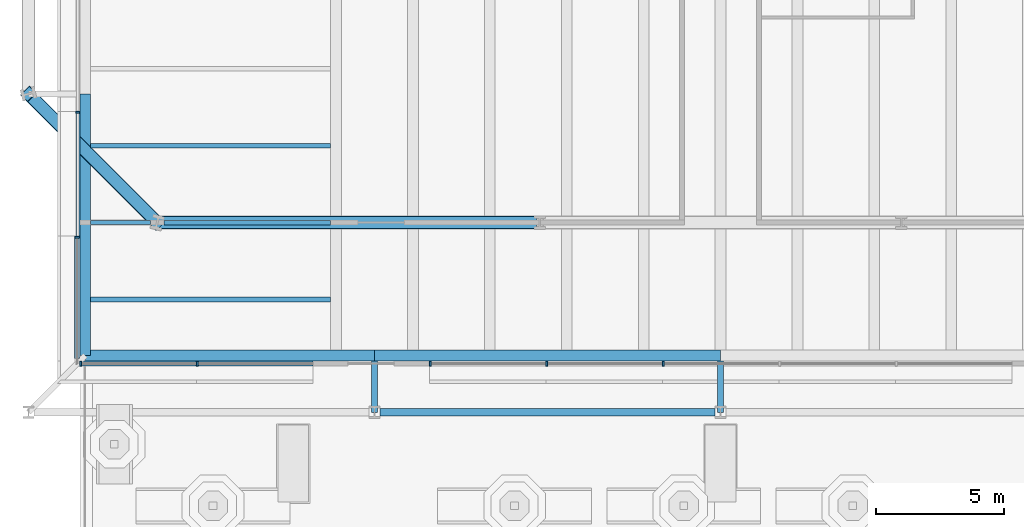
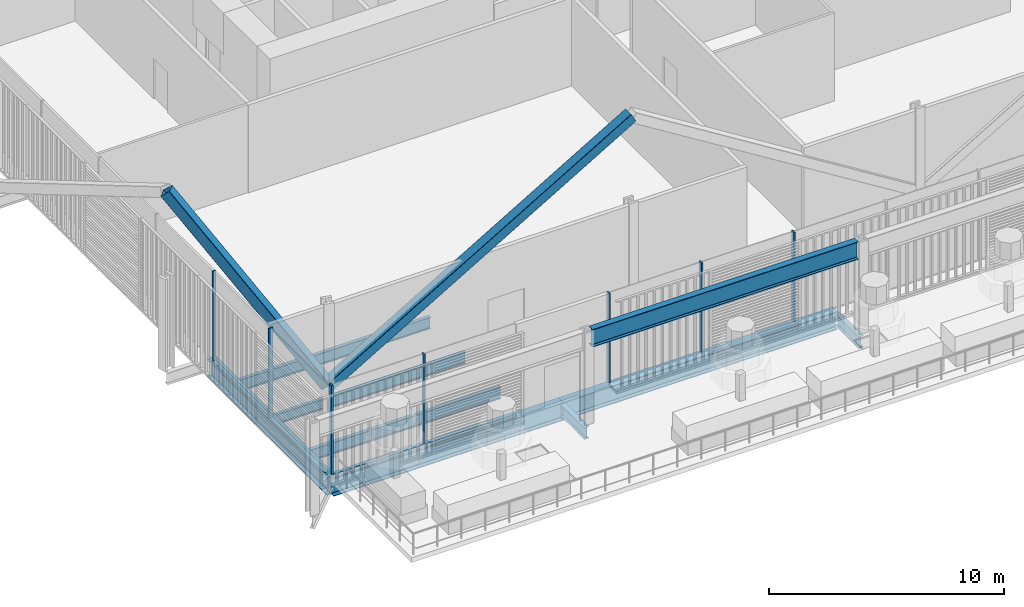
# One storey, part 2 of 26: 12 members, 10 beams, 3 elements without a shape of their own.
"""IFC4 building model written with IfcOpenShell, lengths in metres."""

from ifc_helpers import new_model, si_unit, direction, frame, origin, origin_2d, place, context, subcontext, project, spatial, rectangle, hollow_rectangle, i_section, extrude, material, layer, layer_set, material_profile, profile_set, type_object, element, aggregate, save


model = new_model("IFC4")

# Units and contexts
model_context = context("Model", 3, precision=1e-05, world=origin(), true_north=direction((0.0, 1.0)))
body_context = subcontext(model_context, "Body", "Model", "MODEL_VIEW")
ifc_project = project(units=[si_unit("LENGTHUNIT", "METRE"), si_unit("AREAUNIT", "SQUARE_METRE"), si_unit("VOLUMEUNIT", "CUBIC_METRE"), si_unit("PLANEANGLEUNIT", "RADIAN"), si_unit("MASSUNIT", "GRAM", prefix="KILO")], contexts=[model_context])

# Site, building, storey
site_placement = place(None, origin())
site = spatial("IfcSite", under=ifc_project, at=site_placement, CompositionType="ELEMENT")
building_placement = place(site_placement, origin())
building = spatial("IfcBuilding", under=site, at=building_placement, Name="Millrace Tower", CompositionType="ELEMENT")
storey_placement = place(building_placement, frame((0.0, 0.0, 11.300048828125)))
storey = spatial("IfcBuildingStorey", under=building, at=storey_placement, Name="L03", CompositionType="ELEMENT", Elevation=11.300048828125)

# Curtain wall, members
ifc_material_1 = material(Name="Aluminium and glass", Category="aluminium")
ifc_layer_1 = layer(ifc_material_1, 0.14990234375)
ifc_layer_set_1 = layer_set([ifc_layer_1], Name="Aluminium and glass")
curtain_wall_type_1 = type_object("IfcCurtainWallType", Name="CW-5 truss and plant storey louvred infill", PredefinedType="NOTDEFINED", material=ifc_layer_set_1)
placement = place(storey_placement, origin())
curtain_wall_1 = element("IfcCurtainWall", 1, at=placement, inside=storey, type_object=curtain_wall_type_1, Name="Curtain wall AW3-F06 L03 CW5", PredefinedType="NOTDEFINED")
ifc_material_2 = material(Name="Aluminium", Category="aluminium")
ifc_material_profile_1 = material_profile(ifc_material_2, rectangle(XDim=0.06494140625, YDim=0.14990234375, at=origin_2d()))
ifc_profile_set_1 = profile_set([ifc_material_profile_1], Name="Aluminium")
member_type_1 = type_object("IfcMemberType", Name="CW-5 truss and plant storey louvred infill mullion", PredefinedType="MULLION", material=ifc_profile_set_1)
member_1_placement = place(storey_placement, frame((-25.074951171875, -22.696044921875, 0.139892578125), z_axis=(0.0, 0.0, 1.0), x_axis=(0.0, -1.0, 0.0)))
member_1 = element("IfcMember", 2, at=member_1_placement, type_object=member_type_1, Name="CW5 mullion AW3-F06.10", PredefinedType="MULLION", context=body_context, shape_type="SweptSolid", body=[
    extrude(rectangle(XDim=0.06494140625, YDim=0.14990234375, at=origin_2d()), origin(), (0.0, 0.0, 1.0), 4.66015625),
])
ifc_material_3 = material(Name="Aluminium", Category="aluminium")
ifc_material_profile_2 = material_profile(ifc_material_3, rectangle(XDim=0.14990234375, YDim=0.139892578125, at=origin_2d()))
ifc_profile_set_2 = profile_set([ifc_material_profile_2], Name="Aluminium")
member_type_2 = type_object("IfcMemberType", Name="CW-5 truss and plant storey louvred infill transom", PredefinedType="USERDEFINED", material=ifc_profile_set_2)
member_2_placement = place(storey_placement, frame((-25.074951171875, -22.66357421875, 0.070068359375), z_axis=(0.0, -1.0, 0.0), x_axis=(1.0, 0.0, 0.0)))
member_2 = element("IfcMember", 3, at=member_2_placement, type_object=member_type_2, Name="CW5 transom AW3-F06.2", ObjectType="TRANSOM", PredefinedType="USERDEFINED", context=body_context, shape_type="SweptSolid", body=[
    extrude(rectangle(XDim=0.14990234375, YDim=0.139892578125, at=origin_2d()), origin(), (0.0, 0.0, 1.0), 4.8681640625),
])
aggregate(curtain_wall_1, [member_1, member_2])

ifc_material_4 = material(Name="Aluminium and glass", Category="aluminium")
ifc_layer_2 = layer(ifc_material_4, 0.199951171875)
ifc_layer_set_2 = layer_set([ifc_layer_2], Name="Aluminium and glass")
curtain_wall_type_2 = type_object("IfcCurtainWallType", Name="CW-6 lobby and cascade wing storefront", PredefinedType="NOTDEFINED", material=ifc_layer_set_2)
curtain_wall_2 = element("IfcCurtainWall", 4, at=placement, inside=storey, type_object=curtain_wall_type_2, Name="Curtain wall AW3-F01 L03", PredefinedType="NOTDEFINED")
ifc_material_5 = material(Name="Aluminium", Category="aluminium")
ifc_material_profile_3 = material_profile(ifc_material_5, rectangle(XDim=0.074951171875, YDim=0.199951171875, at=origin_2d()))
ifc_profile_set_3 = profile_set([ifc_material_profile_3], Name="Aluminium")
member_type_3 = type_object("IfcMemberType", Name="CW-6 lobby and cascade wing storefront mullion", PredefinedType="MULLION", material=ifc_profile_set_3)
member_3_placement = place(storey_placement, frame((-24.96240234375, -32.5, 0.14990234375), z_axis=(0.0, 0.0, 1.0), x_axis=(1.0, 0.0, 0.0)))
member_3 = element("IfcMember", 5, at=member_3_placement, type_object=member_type_3, Name="CW6 mullion AW3-F01.1", PredefinedType="MULLION", context=body_context, shape_type="SweptSolid", body=[
    extrude(rectangle(XDim=0.074951171875, YDim=0.199951171875, at=origin_2d()), origin(), (0.0, 0.0, 1.0), 4.650146484375),
])
member_4_placement = place(storey_placement, frame((-20.4169921875, -32.5, 0.14990234375), z_axis=(0.0, 0.0, 1.0), x_axis=(1.0, 0.0, 0.0)))
member_4 = element("IfcMember", 6, at=member_4_placement, type_object=member_type_3, Name="CW6 mullion AW3-F01.2", PredefinedType="MULLION", context=body_context, shape_type="SweptSolid", body=[
    extrude(rectangle(XDim=0.074951171875, YDim=0.199951171875, at=origin_2d()), origin(), (0.0, 0.0, 1.0), 4.650146484375),
])
member_5_placement = place(storey_placement, frame((-11.326171875, -32.5, 0.14990234375), z_axis=(0.0, 0.0, 1.0), x_axis=(1.0, 0.0, 0.0)))
member_5 = element("IfcMember", 7, at=member_5_placement, type_object=member_type_3, Name="CW6 mullion AW3-F01.4", PredefinedType="MULLION", context=body_context, shape_type="SweptSolid", body=[
    extrude(rectangle(XDim=0.074951171875, YDim=0.199951171875, at=origin_2d()), origin(), (0.0, 0.0, 1.0), 4.650146484375),
])
member_6_placement = place(storey_placement, frame((-6.78076171875, -32.5, 0.14990234375), z_axis=(0.0, 0.0, 1.0), x_axis=(1.0, 0.0, 0.0)))
member_6 = element("IfcMember", 8, at=member_6_placement, type_object=member_type_3, Name="CW6 mullion AW3-F01.5", PredefinedType="MULLION", context=body_context, shape_type="SweptSolid", body=[
    extrude(rectangle(XDim=0.074951171875, YDim=0.199951171875, at=origin_2d()), origin(), (0.0, 0.0, 1.0), 4.650146484375),
])
member_7_placement = place(storey_placement, frame((-2.235107421875, -32.5, 0.14990234375), z_axis=(0.0, 0.0, 1.0), x_axis=(1.0, 0.0, 0.0)))
member_7 = element("IfcMember", 9, at=member_7_placement, type_object=member_type_3, Name="CW6 mullion AW3-F01.6", PredefinedType="MULLION", context=body_context, shape_type="SweptSolid", body=[
    extrude(rectangle(XDim=0.074951171875, YDim=0.199951171875, at=origin_2d()), origin(), (0.0, 0.0, 1.0), 4.650146484375),
])

# Curtain wall, member
curtain_wall_3 = element("IfcCurtainWall", 10, at=placement, inside=storey, type_object=curtain_wall_type_2, Name="Curtain wall AW3-F06 L03 CW6", PredefinedType="NOTDEFINED")
member_8_placement = place(storey_placement, frame((-25.10009765625, -27.5693359375, 0.14990234375), z_axis=(0.0, 0.0, 1.0), x_axis=(0.0, -1.0, 0.0)))
member_8 = element("IfcMember", 11, at=member_8_placement, type_object=member_type_3, Name="CW6 mullion AW3-F06.11", PredefinedType="MULLION", context=body_context, shape_type="SweptSolid", body=[
    extrude(rectangle(XDim=0.074951171875, YDim=0.199951171875, at=origin_2d()), origin(), (0.0, 0.0, 1.0), 4.650146484375),
])

# Member
ifc_material_6 = material(Name="Aluminium", Category="aluminium")
ifc_material_profile_4 = material_profile(ifc_material_6, rectangle(XDim=0.199951171875, YDim=0.14990234375, at=origin_2d()))
ifc_profile_set_4 = profile_set([ifc_material_profile_4], Name="Aluminium")
member_type_4 = type_object("IfcMemberType", Name="CW-6 lobby and cascade wing storefront transom", PredefinedType="USERDEFINED", material=ifc_profile_set_4)
member_9_placement = place(storey_placement, frame((-24.89990234375, -32.5, 0.074951171875), z_axis=(1.0, 0.0, 0.0), x_axis=(0.0, 1.0, 0.0)))
member_9 = element("IfcMember", 12, at=member_9_placement, type_object=member_type_4, Name="CW6 transom AW3-F01.1", ObjectType="TRANSOM", PredefinedType="USERDEFINED", context=body_context, shape_type="SweptSolid", body=[
    extrude(rectangle(XDim=0.199951171875, YDim=0.14990234375, at=origin_2d()), origin(), (0.0, 0.0, 1.0), 8.99072265625),
])

aggregate(curtain_wall_2, [member_3, member_4, member_5, member_6, member_7, member_9])

member_10_placement = place(storey_placement, frame((-25.10009765625, -27.53173828125, 0.074951171875), z_axis=(0.0, -1.0, 0.0), x_axis=(1.0, 0.0, 0.0)))
member_10 = element("IfcMember", 13, at=member_10_placement, type_object=member_type_4, Name="CW6 transom AW3-F06.3", ObjectType="TRANSOM", PredefinedType="USERDEFINED", context=body_context, shape_type="SweptSolid", body=[
    extrude(rectangle(XDim=0.199951171875, YDim=0.14990234375, at=origin_2d()), origin(), (0.0, 0.0, 1.0), 4.768310546875),
])

aggregate(curtain_wall_3, [member_8, member_10])

# Members
ifc_material_7 = material(Name="Steel ASTM A500 Grade C", Category="steel")
ifc_material_profile_5 = material_profile(ifc_material_7, hollow_rectangle(XDim=0.508056640625, YDim=0.508056640625, WallThickness=0.022216796875, InnerFilletRadius=0.01123046875, OuterFilletRadius=0.033447265625, at=origin_2d()))
ifc_profile_set_5 = profile_set([ifc_material_profile_5], Name="Steel ASTM A500 Grade C")
member_type_5 = type_object("IfcMemberType", Name="Exoskeleton brace HSS20x20x7/8", PredefinedType="BRACE", material=ifc_profile_set_5)
member_11_placement = place(storey_placement, frame((-21.978515625, -27.0, 0.39990234375), z_axis=(-0.444063713793, 0.444063713793, 0.77821259061), x_axis=(-0.707106781187, -0.707106781187, 0.0)))
element("IfcMember", 14, at=member_11_placement, inside=storey, type_object=member_type_5, Name="BRC-A-L03-01", PredefinedType="BRACE", context=body_context, shape_type="SweptSolid", body=[
    extrude(hollow_rectangle(XDim=0.508056640625, YDim=0.508056640625, WallThickness=0.022216796875, InnerFilletRadius=0.01123046875, OuterFilletRadius=0.033447265625, at=origin_2d()), origin(), (0.0, 0.0, 1.0), 11.30810546875),
])
member_12_placement = place(storey_placement, frame((-21.978515625, -27.0, 0.39990234375), z_axis=(0.861464835883, 0.0, 0.507817227491), x_axis=(0.0, 1.0, 0.0)))
element("IfcMember", 15, at=member_12_placement, inside=storey, type_object=member_type_5, Name="BRC-A-L03-02", PredefinedType="BRACE", context=body_context, shape_type="SweptSolid", body=[
    extrude(hollow_rectangle(XDim=0.508056640625, YDim=0.508056640625, WallThickness=0.022216796875, InnerFilletRadius=0.01123046875, OuterFilletRadius=0.033447265625, at=origin_2d()), origin(), (0.0, 0.0, 1.0), 17.3291015625),
])

# Beams
ifc_material_8 = material(Name="Steel ASTM A992 Grade 50", Category="steel")
ifc_material_profile_6 = material_profile(ifc_material_8, i_section(OverallWidth=0.1650390625, OverallDepth=0.52587890625, WebThickness=0.0087890625, FlangeThickness=0.011474609375, FilletRadius=0.0126953125, at=origin_2d()))
ifc_profile_set_6 = profile_set([ifc_material_profile_6], Name="Steel ASTM A992 Grade 50")
beam_type_1 = type_object("IfcBeamType", Name="Floor beam W21x44", PredefinedType="JOIST", material=ifc_profile_set_6)
beam_1_placement = place(storey_placement, frame((-24.578369140625, -27.0, -0.488037109375), z_axis=(1.0, 0.0, 0.0), x_axis=(0.0, 1.0, 0.0)))
element("IfcBeam", 16, at=beam_1_placement, inside=storey, type_object=beam_type_1, Name="BM-A-L03-S1-S003", PredefinedType="JOIST", context=body_context, shape_type="SweptSolid", body=[
    extrude(i_section(OverallWidth=0.1650390625, OverallDepth=0.52587890625, WebThickness=0.0087890625, FlangeThickness=0.011474609375, FilletRadius=0.0126953125, at=origin_2d()), origin(), (0.0, 0.0, 1.0), 2.343994140625),
])
ifc_material_9 = material(Name="Steel ASTM A992 Grade 50", Category="steel")
ifc_material_profile_7 = material_profile(ifc_material_9, i_section(OverallWidth=0.177978515625, OverallDepth=0.599365234375, WebThickness=0.010009765625, FlangeThickness=0.012939453125, FilletRadius=0.012939453125, at=origin_2d()))
ifc_profile_set_7 = profile_set([ifc_material_profile_7], Name="Steel ASTM A992 Grade 50")
beam_type_2 = type_object("IfcBeamType", Name="Floor beam W24x55", PredefinedType="JOIST", material=ifc_profile_set_7)
beam_2_placement = place(storey_placement, frame((-21.718505859375, -27.0, -0.524658203125), z_axis=(1.0, 0.0, 0.0), x_axis=(0.0, 1.0, 0.0)))
element("IfcBeam", 17, at=beam_2_placement, inside=storey, type_object=beam_type_2, Name="BM-A-L03-S1-S004", PredefinedType="JOIST", context=body_context, shape_type="SweptSolid", body=[
    extrude(i_section(OverallWidth=0.177978515625, OverallDepth=0.599365234375, WebThickness=0.010009765625, FlangeThickness=0.012939453125, FilletRadius=0.012939453125, at=origin_2d()), origin(), (0.0, 0.0, 1.0), 6.50634765625),
])
ifc_material_10 = material(Name="Steel ASTM A992 Grade 50", Category="steel")
ifc_material_profile_8 = material_profile(ifc_material_10, i_section(OverallWidth=0.1787109375, OverallDepth=0.60205078125, WebThickness=0.010986328125, FlangeThickness=0.014892578125, FilletRadius=0.0126953125, at=origin_2d()))
ifc_profile_set_8 = profile_set([ifc_material_profile_8], Name="Steel ASTM A992 Grade 50")
beam_type_3 = type_object("IfcBeamType", Name="Floor beam W24x62", PredefinedType="JOIST", material=ifc_profile_set_8)
for number, where, z_axis, x_axis, name in (
    (18, (-24.578369140625, -30.0, -0.526123046875), (1.0, 0.0, 0.0), (0.0, 1.0, 0.0), "BM-A-L03-S1-S001"),
    (19, (-24.578369140625, -24.0, -0.526123046875), (1.0, 0.0, 0.0), (0.0, 1.0, 0.0), "BM-A-L03-S1-S007"),
):
    element("IfcBeam", number, at=place(storey_placement, frame(where, z_axis=z_axis, x_axis=x_axis)), inside=storey, type_object=beam_type_3, Name=name, PredefinedType="JOIST", context=body_context, shape_type="SweptSolid", body=[
        extrude(i_section(OverallWidth=0.1787109375, OverallDepth=0.60205078125, WebThickness=0.010986328125, FlangeThickness=0.014892578125, FilletRadius=0.0126953125, at=origin_2d()), origin(), (0.0, 0.0, 1.0), 9.3662109375),
    ])
ifc_material_11 = material(Name="Steel ASTM A992 Grade 50", Category="steel")
ifc_material_profile_9 = material_profile(ifc_material_11, i_section(OverallWidth=0.23046875, OverallDepth=0.6171875, WebThickness=0.01318359375, FlangeThickness=0.022216796875, FilletRadius=0.012939453125, at=origin_2d()))
ifc_profile_set_9 = profile_set([ifc_material_profile_9], Name="Steel ASTM A992 Grade 50")
beam_type_4 = type_object("IfcBeamType", Name="Link beam W24x94", PredefinedType="BEAM", material=ifc_profile_set_9)
for number, where, z_axis, x_axis, name in (
    (20, (0.0, -32.39990234375, -0.5986328125), (0.0, -1.0, 0.0), (1.0, 0.0, 0.0), "LNK-A-L03-S1-16"),
    (21, (-13.5, -32.39990234375, -0.5986328125), (0.0, -1.0, 0.0), (1.0, 0.0, 0.0), "LNK-A-L03-S1-17"),
):
    element("IfcBeam", number, at=place(storey_placement, frame(where, z_axis=z_axis, x_axis=x_axis)), inside=storey, type_object=beam_type_4, Name=name, PredefinedType="BEAM", context=body_context, shape_type="SweptSolid", body=[
        extrude(i_section(OverallWidth=0.23046875, OverallDepth=0.6171875, WebThickness=0.01318359375, FlangeThickness=0.022216796875, FilletRadius=0.012939453125, at=origin_2d()), origin(), (0.0, 0.0, 1.0), 2.0),
    ])
ifc_material_12 = material(Name="Steel ASTM A992 Grade 50", Category="steel")
ifc_material_profile_10 = material_profile(ifc_material_12, i_section(OverallWidth=0.421630859375, OverallDepth=0.937255859375, WebThickness=0.021240234375, FlangeThickness=0.03662109375, FilletRadius=0.024169921875, at=origin_2d()))
ifc_profile_set_10 = profile_set([ifc_material_profile_10], Name="Steel ASTM A992 Grade 50")
beam_type_5 = type_object("IfcBeamType", Name="Ring beam medium span W36x262", PredefinedType="SPANDREL", material=ifc_profile_set_10)
beam_3_placement = place(storey_placement, frame((0.0, -32.189208984375, -0.693603515625), z_axis=(-1.0, 0.0, 0.0), x_axis=(0.0, -1.0, 0.0)))
element("IfcBeam", 22, at=beam_3_placement, inside=storey, type_object=beam_type_5, Name="RNG-A-L03-S1-16", PredefinedType="SPANDREL", context=body_context, shape_type="SweptSolid", body=[
    extrude(i_section(OverallWidth=0.421630859375, OverallDepth=0.937255859375, WebThickness=0.021240234375, FlangeThickness=0.03662109375, FilletRadius=0.024169921875, at=origin_2d()), origin(), (0.0, 0.0, 1.0), 13.5),
])
ifc_material_13 = material(Name="Steel ASTM A992 Grade 50", Category="steel")
ifc_material_profile_11 = material_profile(ifc_material_13, i_section(OverallWidth=0.421630859375, OverallDepth=0.937255859375, WebThickness=0.021240234375, FlangeThickness=0.03662109375, FilletRadius=0.024169921875, at=origin_2d()))
ifc_profile_set_11 = profile_set([ifc_material_profile_11], Name="Steel ASTM A992 Grade 50")
beam_type_6 = type_object("IfcBeamType", Name="Ring beam short span W36x262", PredefinedType="SPANDREL", material=ifc_profile_set_11)
beam_4_placement = place(storey_placement, frame((-24.7890625, -32.189208984375, -0.693603515625), z_axis=(0.0, 1.0, 0.0), x_axis=(-1.0, 0.0, 0.0)))
element("IfcBeam", 23, at=beam_4_placement, inside=storey, type_object=beam_type_6, Name="RNG-A-L03-S1-01", PredefinedType="SPANDREL", context=body_context, shape_type="SweptSolid", body=[
    extrude(i_section(OverallWidth=0.421630859375, OverallDepth=0.937255859375, WebThickness=0.021240234375, FlangeThickness=0.03662109375, FilletRadius=0.024169921875, at=origin_2d()), origin(), (0.0, 0.0, 1.0), 10.210693359375),
])
beam_5_placement = place(storey_placement, frame((-13.5, -32.189208984375, -0.693603515625), z_axis=(-1.0, 0.0, 0.0), x_axis=(0.0, -1.0, 0.0)))
element("IfcBeam", 24, at=beam_5_placement, inside=storey, type_object=beam_type_6, Name="RNG-A-L03-S1-17", PredefinedType="SPANDREL", context=body_context, shape_type="SweptSolid", body=[
    extrude(i_section(OverallWidth=0.421630859375, OverallDepth=0.937255859375, WebThickness=0.021240234375, FlangeThickness=0.03662109375, FilletRadius=0.024169921875, at=origin_2d()), origin(), (0.0, 0.0, 1.0), 11.2890625),
])
ifc_material_14 = material(Name="Steel ASTM A992 Grade 50", Category="steel")
ifc_material_profile_12 = material_profile(ifc_material_14, i_section(OverallWidth=0.307373046875, OverallDepth=0.927001953125, WebThickness=0.01953125, FlangeThickness=0.031982421875, FilletRadius=0.01904296875, at=origin_2d()))
ifc_profile_set_12 = profile_set([ifc_material_profile_12], Name="Steel ASTM A992 Grade 50")
beam_type_7 = type_object("IfcBeamType", Name="Terrace edge beam W36x194", PredefinedType="BEAM", material=ifc_profile_set_12)
beam_6_placement = place(storey_placement, frame((-13.2841796875, -34.39990234375, 4.33642578125), z_axis=(1.0, 0.0, 0.0), x_axis=(0.0, 1.0, 0.0)))
element("IfcBeam", 25, at=beam_6_placement, inside=storey, type_object=beam_type_7, Name="BM-WING-L03-EDGE02", PredefinedType="BEAM", context=body_context, shape_type="SweptSolid", body=[
    extrude(i_section(OverallWidth=0.307373046875, OverallDepth=0.927001953125, WebThickness=0.01953125, FlangeThickness=0.031982421875, FilletRadius=0.01904296875, at=origin_2d()), origin(), (0.0, 0.0, 1.0), 13.068359375),
])

save(model, "model.ifc")
